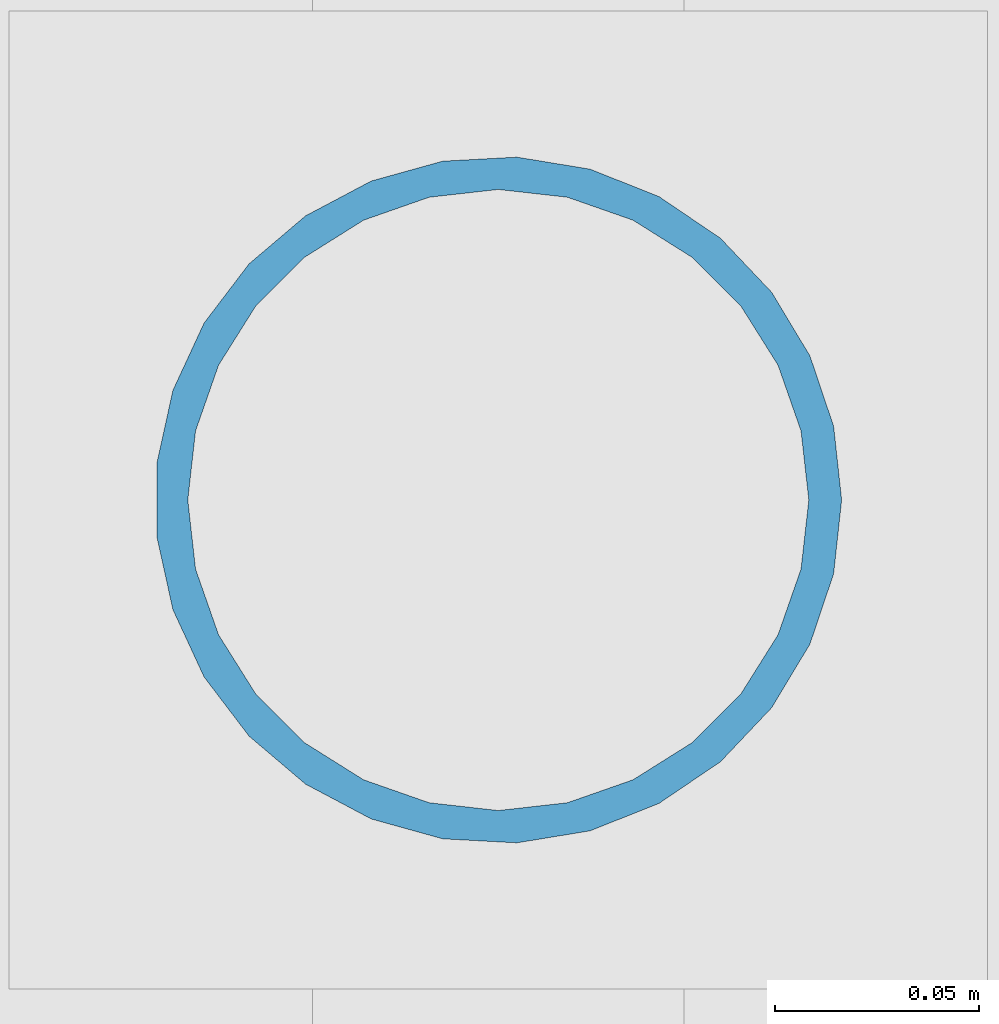
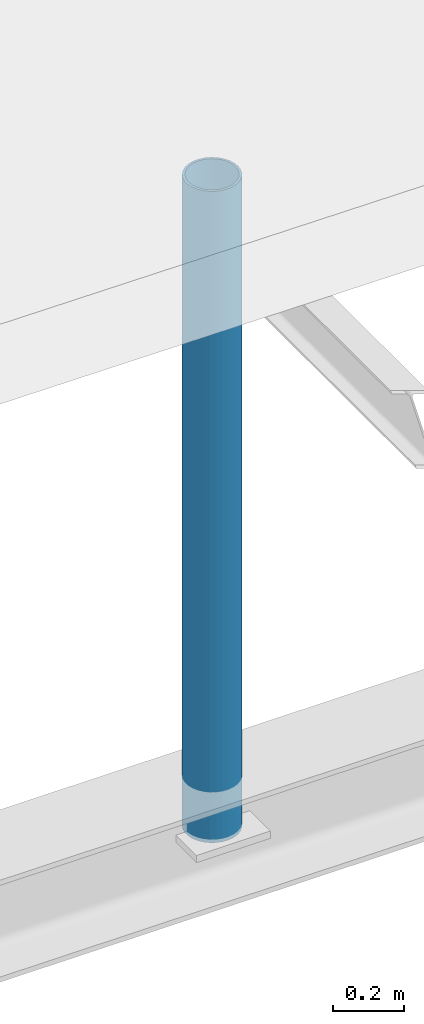
# One storey, part 14 of 49: 1 member.
"""IFC4 building model written with IfcOpenShell, lengths in metres."""

from ifc_helpers import new_model, si_unit, direction, frame, origin, origin_2d, place, context, subcontext, project, spatial, hollow_circle, extrude, material, material_profile, profile_set, type_object, element, save


model = new_model("IFC4")

# Units and contexts
model_context = context("Model", 3, precision=1e-05, world=origin(), true_north=direction((0.0, 1.0)))
body_context = subcontext(model_context, "Body", "Model", "MODEL_VIEW")
ifc_project = project(units=[si_unit("LENGTHUNIT", "METRE"), si_unit("AREAUNIT", "SQUARE_METRE"), si_unit("VOLUMEUNIT", "CUBIC_METRE"), si_unit("PLANEANGLEUNIT", "RADIAN"), si_unit("MASSUNIT", "GRAM", prefix="KILO")], contexts=[model_context])

# Site, building, storey
site_placement = place(None, origin())
site = spatial("IfcSite", under=ifc_project, at=site_placement, CompositionType="ELEMENT")
building_placement = place(site_placement, origin())
building = spatial("IfcBuilding", under=site, at=building_placement, Name="Sundkrona Museum", CompositionType="ELEMENT")
storey_placement = place(building_placement, frame((0.0, 0.0, 26.0)))
storey = spatial("IfcBuildingStorey", under=building, at=storey_placement, Name="L05", CompositionType="ELEMENT", Elevation=26.0)

# Member
ifc_material = material(Name="Steel S355J2", Category="steel")
ifc_material_profile = material_profile(ifc_material, hollow_circle(Radius=0.084228515625, WallThickness=0.008056640625, at=origin_2d()), Name="CHS 168.3x8.0")
ifc_profile_set = profile_set([ifc_material_profile], Name="Steel S355J2")
member_type = type_object("IfcMemberType", Name="ST-CHS168", PredefinedType="STRUT", material=ifc_profile_set)
member_placement = place(storey_placement, frame((88.0, 16.0, -0.39990234375), z_axis=(0.0, 0.0, 1.0), x_axis=(1.0, 0.0, 0.0)))
element("IfcMember", 1, at=member_placement, inside=storey, type_object=member_type, Name="RFS-1 Atrium Truss 3 Web Strut 88", PredefinedType="STRUT", context=body_context, shape_type="SweptSolid", body=[
    extrude(hollow_circle(Radius=0.084228515625, WallThickness=0.008056640625, at=origin_2d()), origin(), (0.0, 0.0, 1.0), 2.237548828125),
])

save(model, "model.ifc")
